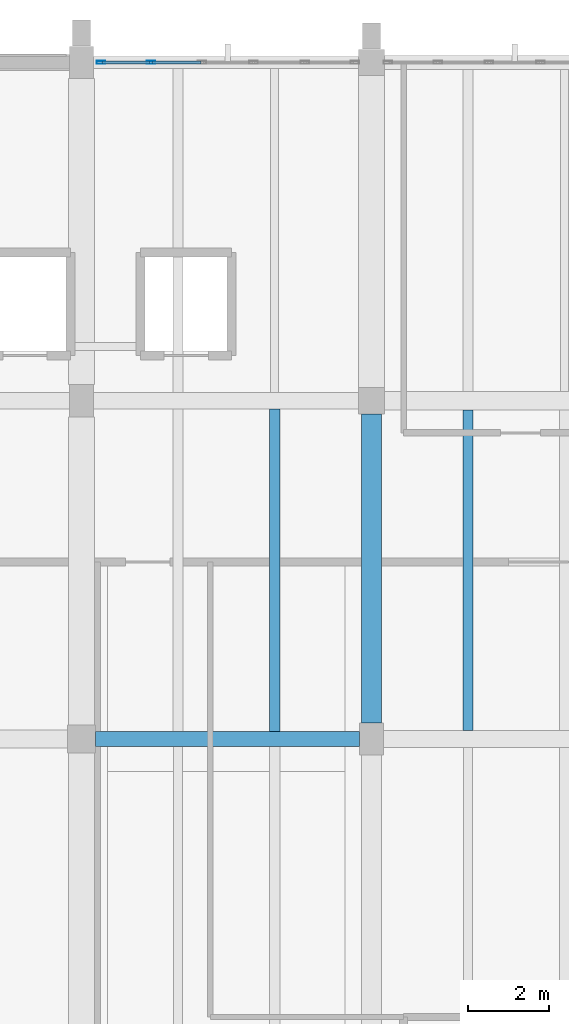
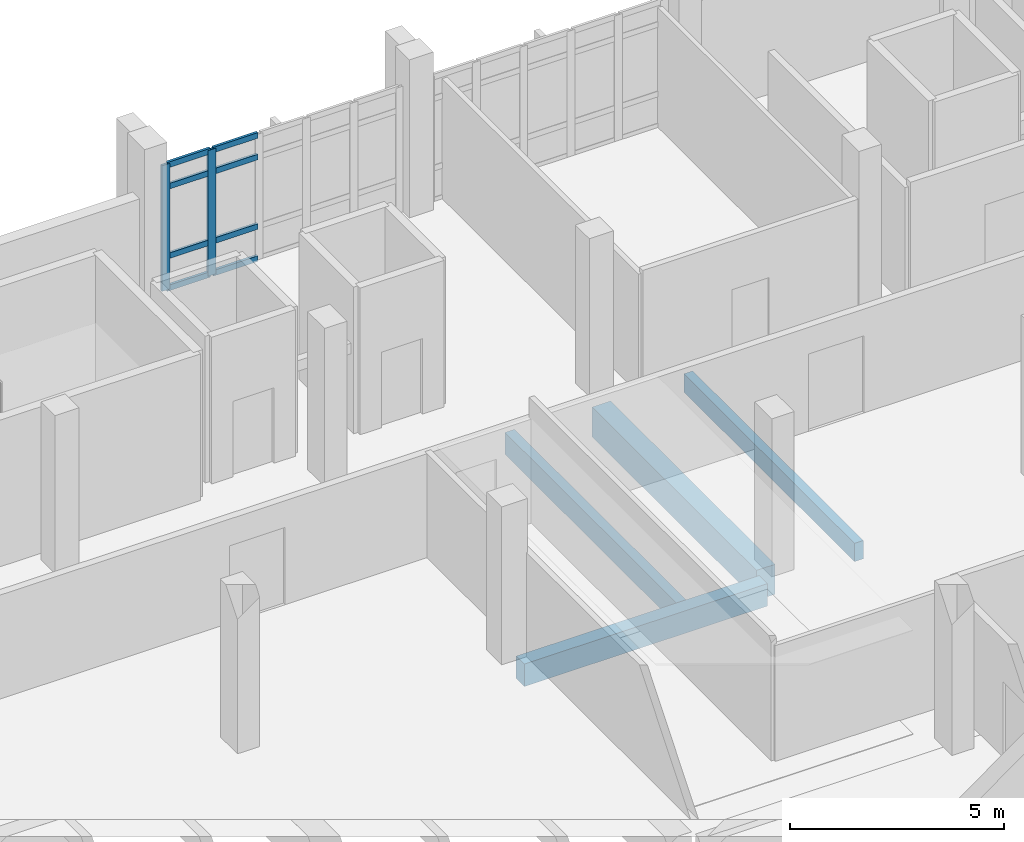
# One storey, part 28 of 57: 10 members, 4 beams, 1 element without a shape of its own.
"""IFC4 building model written with IfcOpenShell, lengths in metres."""

from ifc_helpers import new_model, si_unit, direction, frame, origin, origin_2d, place, context, subcontext, project, spatial, rectangle, hollow_rectangle, extrude, material, material_profile, profile_set, type_object, element, aggregate, save


model = new_model("IFC4")

# Units and contexts
model_context = context("Model", 3, precision=1e-05, world=origin(), true_north=direction((0.0, 1.0)))
body_context = subcontext(model_context, "Body", "Model", "MODEL_VIEW")
ifc_project = project(units=[si_unit("LENGTHUNIT", "METRE"), si_unit("AREAUNIT", "SQUARE_METRE"), si_unit("VOLUMEUNIT", "CUBIC_METRE"), si_unit("PLANEANGLEUNIT", "RADIAN"), si_unit("MASSUNIT", "GRAM", prefix="KILO")], contexts=[model_context])

# Site, building, storey
site_placement = place(None, origin())
site = spatial("IfcSite", under=ifc_project, at=site_placement, CompositionType="ELEMENT")
building_placement = place(site_placement, origin())
building = spatial("IfcBuilding", under=site, at=building_placement, Name="Kalluvel Institute of Natural Sciences", CompositionType="ELEMENT")
storey_placement = place(building_placement, frame((0.0, 0.0, 23.39990234375)))
storey = spatial("IfcBuildingStorey", under=building, at=storey_placement, Name="L05", CompositionType="ELEMENT", Elevation=23.39990234375)

# Beams
ifc_material_1 = material(Name="Concrete M40", Category="concrete")
ifc_material_profile_1 = material_profile(ifc_material_1, rectangle(XDim=0.3798828125, YDim=0.639892578125, at=origin_2d()), Name="RCB 380x640")
ifc_profile_set_1 = profile_set([ifc_material_profile_1], Name="Concrete M40")
beam_type_1 = type_object("IfcBeamType", Name="BM-RC380x640", PredefinedType="BEAM", material=ifc_profile_set_1)
beam_1_placement = place(storey_placement, frame((43.14990234375, 111.199951171875, -0.639892578125), z_axis=(1.0, 0.0, 0.0), x_axis=(0.0, 1.0, 0.0)))
element("IfcBeam", 1, at=beam_1_placement, inside=storey, type_object=beam_type_1, Name="L05 girder GIR-L05-EW-X428-Y1112", PredefinedType="BEAM", context=body_context, shape_type="SweptSolid", body=[
    extrude(rectangle(XDim=0.3798828125, YDim=0.639892578125, at=origin_2d()), origin(), (0.0, 0.0, 1.0), 6.550048828125),
])
ifc_material_2 = material(Name="Concrete M50", Category="concrete")
ifc_material_profile_2 = material_profile(ifc_material_2, rectangle(XDim=0.5, YDim=0.85009765625, at=origin_2d()), Name="RCB 500x850")
ifc_profile_set_2 = profile_set([ifc_material_profile_2], Name="Concrete M50")
beam_type_2 = type_object("IfcBeamType", Name="BM-RC500x850", PredefinedType="BEAM", material=ifc_profile_set_2)
beam_2_placement = place(storey_placement, frame((50.0, 111.60009765625, -0.744873046875), z_axis=(0.0, 1.0, 0.0), x_axis=(-1.0, 0.0, 0.0)))
element("IfcBeam", 2, at=beam_2_placement, inside=storey, type_object=beam_type_2, Name="L05 girder GIR-L05-NS-X500-Y1112", PredefinedType="BEAM", context=body_context, shape_type="SweptSolid", body=[
    extrude(rectangle(XDim=0.5, YDim=0.85009765625, at=origin_2d()), origin(), (0.0, 0.0, 1.0), 7.6748046875),
])

# Curtain wall, members
ifc_material_3 = material(Name="Aluminium AW-6063 T6", Category="aluminium")
curtain_wall_type = type_object("IfcCurtainWallType", Name="CW-WET-45", PredefinedType="USERDEFINED", material=ifc_material_3)
curtain_wall_placement = place(storey_placement, origin())
curtain_wall = element("IfcCurtainWall", 3, at=curtain_wall_placement, inside=storey, type_object=curtain_wall_type, Name="L05 Gothic lancet curtain wall CWA-L05-X432-Y1280", ObjectType="UNITISED LANCET FACADE", PredefinedType="USERDEFINED")
ifc_material_profile_3 = material_profile(ifc_material_3, hollow_rectangle(XDim=0.070068359375, YDim=0.2099609375, WallThickness=0.0048828125, at=origin_2d()), Name="CWM 70x210")
ifc_profile_set_3 = profile_set([ifc_material_profile_3], Name="Aluminium AW-6063 T6")
member_type_1 = type_object("IfcMemberType", Name="CWM-70x210", PredefinedType="MULLION", material=ifc_profile_set_3)
member_1_placement = place(storey_placement, frame((43.284912109375, 128.0, 0.0), z_axis=(0.0, 0.0, 1.0), x_axis=(0.0, 1.0, 0.0)))
member_1 = element("IfcMember", 4, at=member_1_placement, type_object=member_type_1, Name="CW-01 mullion 1", PredefinedType="MULLION", context=body_context, shape_type="SweptSolid", body=[
    extrude(hollow_rectangle(XDim=0.070068359375, YDim=0.2099609375, WallThickness=0.0048828125, at=origin_2d()), origin(), (0.0, 0.0, 1.0), 3.580078125),
])
member_2_placement = place(storey_placement, frame((44.52490234375, 128.0, 0.0), z_axis=(0.0, 0.0, 1.0), x_axis=(0.0, 1.0, 0.0)))
member_2 = element("IfcMember", 5, at=member_2_placement, type_object=member_type_1, Name="CW-01 mullion 2", PredefinedType="MULLION", context=body_context, shape_type="SweptSolid", body=[
    extrude(hollow_rectangle(XDim=0.070068359375, YDim=0.2099609375, WallThickness=0.0048828125, at=origin_2d()), origin(), (0.0, 0.0, 1.0), 3.580078125),
])
ifc_material_profile_4 = material_profile(ifc_material_3, hollow_rectangle(XDim=0.070068359375, YDim=0.159912109375, WallThickness=0.0048828125, at=origin_2d()), Name="CWT 70x160")
ifc_profile_set_4 = profile_set([ifc_material_profile_4], Name="Aluminium AW-6063 T6")
member_type_2 = type_object("IfcMemberType", Name="CWT-70x160", PredefinedType="USERDEFINED", material=ifc_profile_set_4)
member_3_placement = place(storey_placement, frame((43.320068359375, 128.0, 0.03515625), z_axis=(1.0, 0.0, 0.0), x_axis=(0.0, 1.0, 0.0)))
member_3 = element("IfcMember", 6, at=member_3_placement, type_object=member_type_2, Name="CW-01 transom 1.1", ObjectType="TRANSOM", PredefinedType="USERDEFINED", context=body_context, shape_type="SweptSolid", body=[
    extrude(hollow_rectangle(XDim=0.070068359375, YDim=0.159912109375, WallThickness=0.0048828125, at=origin_2d()), origin(), (0.0, 0.0, 1.0), 1.169921875),
])
member_4_placement = place(storey_placement, frame((43.320068359375, 128.0, 0.9501953125), z_axis=(1.0, 0.0, 0.0), x_axis=(0.0, 1.0, 0.0)))
member_4 = element("IfcMember", 7, at=member_4_placement, type_object=member_type_2, Name="CW-01 transom 1.2", ObjectType="TRANSOM", PredefinedType="USERDEFINED", context=body_context, shape_type="SweptSolid", body=[
    extrude(hollow_rectangle(XDim=0.070068359375, YDim=0.159912109375, WallThickness=0.0048828125, at=origin_2d()), origin(), (0.0, 0.0, 1.0), 1.169921875),
])
member_5_placement = place(storey_placement, frame((43.320068359375, 128.0, 2.93017578125), z_axis=(1.0, 0.0, 0.0), x_axis=(0.0, 1.0, 0.0)))
member_5 = element("IfcMember", 8, at=member_5_placement, type_object=member_type_2, Name="CW-01 transom 1.3", ObjectType="TRANSOM", PredefinedType="USERDEFINED", context=body_context, shape_type="SweptSolid", body=[
    extrude(hollow_rectangle(XDim=0.070068359375, YDim=0.159912109375, WallThickness=0.0048828125, at=origin_2d()), origin(), (0.0, 0.0, 1.0), 1.169921875),
])
member_6_placement = place(storey_placement, frame((43.320068359375, 128.0, 3.545166015625), z_axis=(1.0, 0.0, 0.0), x_axis=(0.0, 1.0, 0.0)))
member_6 = element("IfcMember", 9, at=member_6_placement, type_object=member_type_2, Name="CW-01 transom 1.4", ObjectType="TRANSOM", PredefinedType="USERDEFINED", context=body_context, shape_type="SweptSolid", body=[
    extrude(hollow_rectangle(XDim=0.070068359375, YDim=0.159912109375, WallThickness=0.0048828125, at=origin_2d()), origin(), (0.0, 0.0, 1.0), 1.169921875),
])
member_7_placement = place(storey_placement, frame((44.56005859375, 128.0, 0.03515625), z_axis=(1.0, 0.0, 0.0), x_axis=(0.0, 1.0, 0.0)))
member_7 = element("IfcMember", 10, at=member_7_placement, type_object=member_type_2, Name="CW-01 transom 2.1", ObjectType="TRANSOM", PredefinedType="USERDEFINED", context=body_context, shape_type="SweptSolid", body=[
    extrude(hollow_rectangle(XDim=0.070068359375, YDim=0.159912109375, WallThickness=0.0048828125, at=origin_2d()), origin(), (0.0, 0.0, 1.0), 1.204833984375),
])
member_8_placement = place(storey_placement, frame((44.56005859375, 128.0, 0.9501953125), z_axis=(1.0, 0.0, 0.0), x_axis=(0.0, 1.0, 0.0)))
member_8 = element("IfcMember", 11, at=member_8_placement, type_object=member_type_2, Name="CW-01 transom 2.2", ObjectType="TRANSOM", PredefinedType="USERDEFINED", context=body_context, shape_type="SweptSolid", body=[
    extrude(hollow_rectangle(XDim=0.070068359375, YDim=0.159912109375, WallThickness=0.0048828125, at=origin_2d()), origin(), (0.0, 0.0, 1.0), 1.204833984375),
])
member_9_placement = place(storey_placement, frame((44.56005859375, 128.0, 2.93017578125), z_axis=(1.0, 0.0, 0.0), x_axis=(0.0, 1.0, 0.0)))
member_9 = element("IfcMember", 12, at=member_9_placement, type_object=member_type_2, Name="CW-01 transom 2.3", ObjectType="TRANSOM", PredefinedType="USERDEFINED", context=body_context, shape_type="SweptSolid", body=[
    extrude(hollow_rectangle(XDim=0.070068359375, YDim=0.159912109375, WallThickness=0.0048828125, at=origin_2d()), origin(), (0.0, 0.0, 1.0), 1.204833984375),
])
member_10_placement = place(storey_placement, frame((44.56005859375, 128.0, 3.545166015625), z_axis=(1.0, 0.0, 0.0), x_axis=(0.0, 1.0, 0.0)))
member_10 = element("IfcMember", 13, at=member_10_placement, type_object=member_type_2, Name="CW-01 transom 2.4", ObjectType="TRANSOM", PredefinedType="USERDEFINED", context=body_context, shape_type="SweptSolid", body=[
    extrude(hollow_rectangle(XDim=0.070068359375, YDim=0.159912109375, WallThickness=0.0048828125, at=origin_2d()), origin(), (0.0, 0.0, 1.0), 1.204833984375),
])
aggregate(curtain_wall, [member_1, member_2, member_3, member_4, member_5, member_6, member_7, member_8, member_9, member_10])

# Beams
ifc_material_profile_5 = material_profile(ifc_material_1, rectangle(XDim=0.239990234375, YDim=0.52001953125, at=origin_2d()), Name="WAF 240x520")
ifc_profile_set_5 = profile_set([ifc_material_profile_5], Name="Concrete M40")
beam_type_3 = type_object("IfcBeamType", Name="WJ-240x520", PredefinedType="JOIST", material=ifc_profile_set_5)
beam_3_placement = place(storey_placement, frame((52.39990234375, 111.409912109375, -0.579833984375), z_axis=(0.0, 1.0, 0.0), x_axis=(-1.0, 0.0, 0.0)))
element("IfcBeam", 14, at=beam_3_placement, inside=storey, type_object=beam_type_3, Name="L05 waffle joist RIB-L05-0396", PredefinedType="JOIST", context=body_context, shape_type="SweptSolid", body=[
    extrude(rectangle(XDim=0.239990234375, YDim=0.52001953125, at=origin_2d()), origin(), (0.0, 0.0, 1.0), 7.965087890625),
])
ifc_material_profile_6 = material_profile(ifc_material_2, rectangle(XDim=0.260009765625, YDim=0.6201171875, at=origin_2d()), Name="WAF 260x620")
ifc_profile_set_6 = profile_set([ifc_material_profile_6], Name="Concrete M50")
beam_type_4 = type_object("IfcBeamType", Name="WJ-260x620", PredefinedType="JOIST", material=ifc_profile_set_6)
beam_4_placement = place(storey_placement, frame((47.60009765625, 111.389892578125, -0.6298828125), z_axis=(0.0, 1.0, 0.0), x_axis=(-1.0, 0.0, 0.0)))
element("IfcBeam", 15, at=beam_4_placement, inside=storey, type_object=beam_type_4, Name="L05 waffle joist RIB-L05-0391", PredefinedType="JOIST", context=body_context, shape_type="SweptSolid", body=[
    extrude(rectangle(XDim=0.260009765625, YDim=0.6201171875, at=origin_2d()), origin(), (0.0, 0.0, 1.0), 8.010009765625),
])

save(model, "model.ifc")
